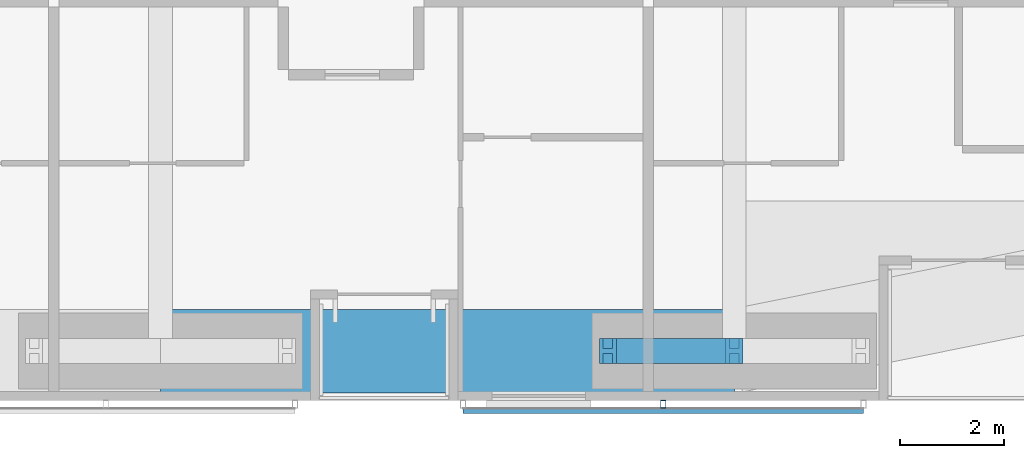
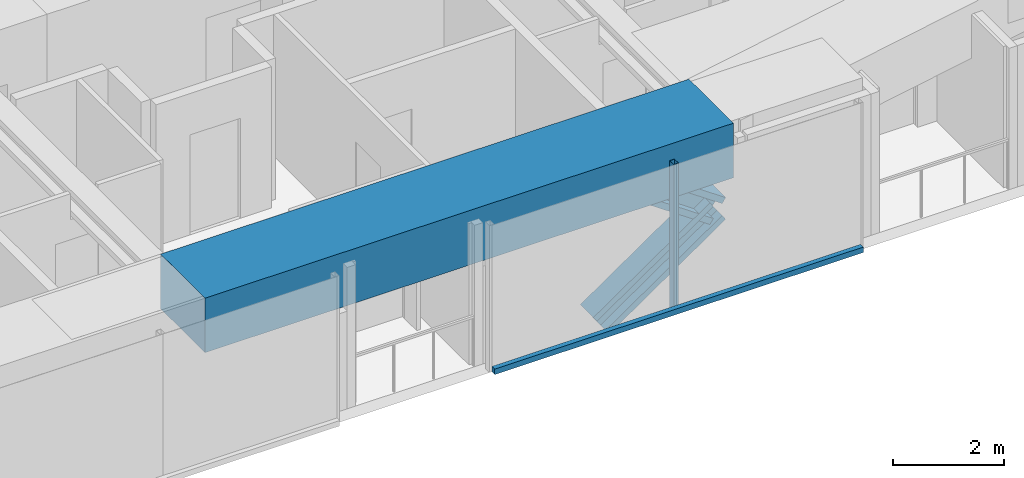
# One storey, part 5 of 23: 4 members, 1 beam, 1 element without a shape of its own.
"""IFC4 building model written with IfcOpenShell, lengths in metres."""

from ifc_helpers import new_model, si_unit, direction, frame, origin, origin_2d, place, context, subcontext, project, spatial, rectangle, hollow_rectangle, i_section, extrude, material, material_profile, profile_set, type_object, element, aggregate, save


model = new_model("IFC4")

# Units and contexts
model_context = context("Model", 3, precision=1e-05, world=origin(), true_north=direction((0.0, 1.0)))
body_context = subcontext(model_context, "Body", "Model", "MODEL_VIEW")
ifc_project = project(units=[si_unit("LENGTHUNIT", "METRE"), si_unit("AREAUNIT", "SQUARE_METRE"), si_unit("VOLUMEUNIT", "CUBIC_METRE"), si_unit("PLANEANGLEUNIT", "RADIAN"), si_unit("MASSUNIT", "GRAM", prefix="KILO")], contexts=[model_context])

# Site, building, storey
site_placement = place(None, origin())
site = spatial("IfcSite", under=ifc_project, at=site_placement, CompositionType="ELEMENT")
building_placement = place(site_placement, origin())
building = spatial("IfcBuilding", under=site, at=building_placement, Name="Jalousie Tower", CompositionType="ELEMENT")
storey_placement = place(building_placement, frame((0.0, 0.0, 27.699951171875)))
storey = spatial("IfcBuildingStorey", under=building, at=storey_placement, Name="L06", CompositionType="ELEMENT", Elevation=27.699951171875)

# Members
ifc_material_1 = material(Name="Steel ASTM A992 Grade 50", Category="steel")
ifc_material_profile_1 = material_profile(ifc_material_1, i_section(OverallWidth=0.472412109375, OverallDepth=0.5791015625, WebThickness=0.094970703125, FlangeThickness=0.1298828125, at=origin_2d()), Name="W14X808")
ifc_profile_set_1 = profile_set([ifc_material_profile_1], Name="Steel ASTM A992 Grade 50")
member_type_1 = type_object("IfcMemberType", Name="PERIMETER BRACE W14X808", PredefinedType="BRACE", material=ifc_profile_set_1)
for number, where, z_axis, x_axis, name in (
    (1, (32.574951171875, 0.949951171875, -0.599853515625), (0.82283879777, 0.0, 0.568274856811), (0.0, 1.0, 0.0), "Perimeter brace 04 L06 part 1"),
    (2, (35.0, 0.949951171875, 1.074951171875), (-0.822800062329, 0.0, 0.568330940062), (0.0, -1.0, 0.0), "Perimeter brace 04 L06 part 4"),
):
    element("IfcMember", number, at=place(storey_placement, frame(where, z_axis=z_axis, x_axis=x_axis)), inside=storey, type_object=member_type_1, Name=name, PredefinedType="BRACE", context=body_context, shape_type="SweptSolid", body=[
        extrude(i_section(OverallWidth=0.472412109375, OverallDepth=0.5791015625, WebThickness=0.094970703125, FlangeThickness=0.1298828125, at=origin_2d()), origin(), (0.0, 0.0, 1.0), 2.947265625),
    ])

# Beam
ifc_material_2 = material(Name="Concrete f'c 40 MPa", Category="concrete")
ifc_material_profile_2 = material_profile(ifc_material_2, rectangle(XDim=1.60009765625, YDim=1.199951171875, at=origin_2d()), Name="RC 1600x1200")
ifc_profile_set_2 = profile_set([ifc_material_profile_2], Name="Concrete f'c 40 MPa")
beam_type = type_object("IfcBeamType", Name="RC BEAM 1600x1200", PredefinedType="BEAM", material=ifc_profile_set_2)
beam_placement = place(storey_placement, frame((24.0, 0.949951171875, 2.75), z_axis=(1.0, 0.0, 0.0), x_axis=(0.0, 1.0, 0.0)))
element("IfcBeam", 3, at=beam_placement, inside=storey, type_object=beam_type, Name="Edge band beam 03-04 under L07", PredefinedType="BEAM", context=body_context, shape_type="SweptSolid", body=[
    extrude(rectangle(XDim=1.60009765625, YDim=1.199951171875, at=origin_2d()), origin(), (0.0, 0.0, 1.0), 11.0),
])

# Curtain wall, members
ifc_material_3 = material(Name="Perforated aluminium sheet", Category="aluminium")
curtain_wall_type = type_object("IfcCurtainWallType", Name="SOLAR SCREEN SS-1", PredefinedType="USERDEFINED", material=ifc_material_3)
curtain_wall_placement = place(storey_placement, origin())
curtain_wall = element("IfcCurtainWall", 4, at=curtain_wall_placement, inside=storey, type_object=curtain_wall_type, Name="Solar screen L06", ObjectType="SOLAR SCREEN SS-1", PredefinedType="USERDEFINED")
ifc_material_4 = material(Name="Steel ASTM A500 Grade C", Category="steel")
ifc_material_profile_3 = material_profile(ifc_material_4, hollow_rectangle(XDim=0.1015625, YDim=0.15234375, WallThickness=0.00634765625, at=origin_2d()), Name="HSS6X4X1/4")
ifc_profile_set_3 = profile_set([ifc_material_profile_3], Name="Steel ASTM A500 Grade C")
member_type_2 = type_object("IfcMemberType", Name="SOLAR SCREEN SS-1 MULLION", PredefinedType="MULLION", material=ifc_profile_set_3)
member_1_placement = place(storey_placement, frame((33.637451171875, -0.0712890625, -0.119873046875), z_axis=(0.0, 0.0, 1.0), x_axis=(1.0, 0.0, 0.0)))
member_1 = element("IfcMember", 5, at=member_1_placement, type_object=member_type_2, Name="SS1 post 2", PredefinedType="MULLION", context=body_context, shape_type="SweptSolid", body=[
    extrude(hollow_rectangle(XDim=0.1015625, YDim=0.15234375, WallThickness=0.00634765625, at=origin_2d()), origin(), (0.0, 0.0, 1.0), 3.22998046875),
])
ifc_material_5 = material(Name="Extruded aluminium screen rail", Category="aluminium")
ifc_material_profile_4 = material_profile(ifc_material_5, rectangle(XDim=0.1015625, YDim=0.1201171875, at=origin_2d()), Name="RAIL 102x120")
ifc_profile_set_4 = profile_set([ifc_material_profile_4], Name="Extruded aluminium screen rail")
member_type_3 = type_object("IfcMemberType", Name="SOLAR SCREEN SS-1 TRANSOM", PredefinedType="USERDEFINED", material=ifc_profile_set_4)
member_2_placement = place(storey_placement, frame((29.800048828125, -0.1982421875, -0.06005859375), z_axis=(1.0, 0.0, 0.0), x_axis=(0.0, 1.0, 0.0)))
member_2 = element("IfcMember", 6, at=member_2_placement, type_object=member_type_3, Name="SS1 rail", ObjectType="TRANSOM", PredefinedType="USERDEFINED", context=body_context, shape_type="SweptSolid", body=[
    extrude(rectangle(XDim=0.1015625, YDim=0.1201171875, at=origin_2d()), origin(), (0.0, 0.0, 1.0), 7.675048828125),
])
aggregate(curtain_wall, [member_1, member_2])

save(model, "model.ifc")
